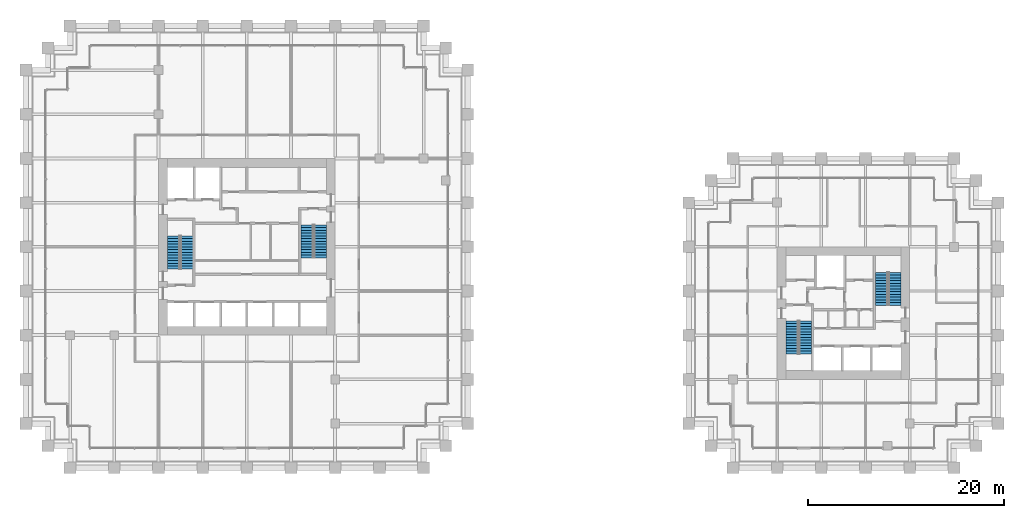
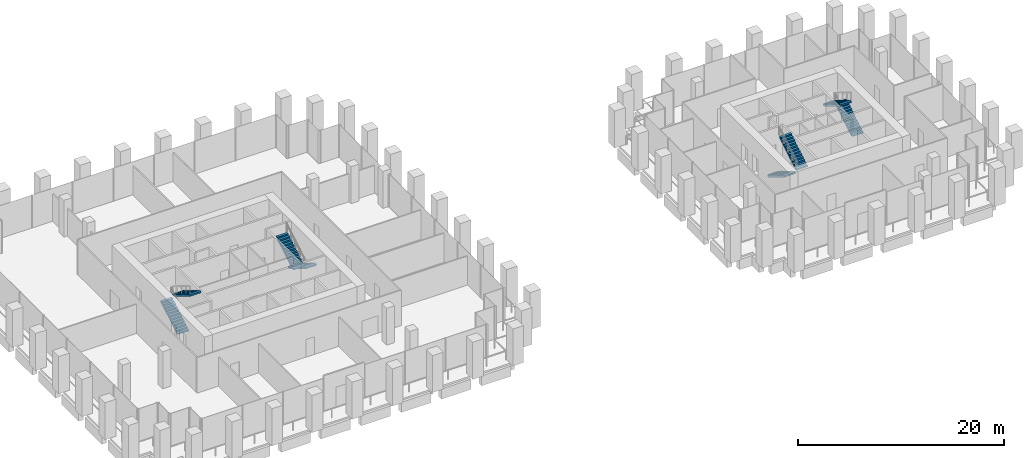
# One storey, part 34 of 36: 8 stair flights, 4 elements without a shape of their own.
"""IFC4 building model written with IfcOpenShell, lengths in metres."""

from ifc_helpers import new_model, si_unit, direction, frame, origin, place, context, subcontext, project, spatial, polyline, outline, extrude, material, type_object, element, aggregate, save


model = new_model("IFC4")

# Units and contexts
model_context = context("Model", 3, precision=1e-05, world=origin(), true_north=direction((0.0, 1.0)))
body_context = subcontext(model_context, "Body", "Model", "MODEL_VIEW")
ifc_project = project(units=[si_unit("LENGTHUNIT", "METRE"), si_unit("AREAUNIT", "SQUARE_METRE"), si_unit("VOLUMEUNIT", "CUBIC_METRE"), si_unit("PLANEANGLEUNIT", "RADIAN"), si_unit("MASSUNIT", "GRAM", prefix="KILO")], contexts=[model_context])

# Site, building, storey
site_placement = place(None, origin())
site = spatial("IfcSite", under=ifc_project, at=site_placement, CompositionType="ELEMENT")
building_placement = place(site_placement, origin())
building = spatial("IfcBuilding", under=site, at=building_placement, Name="Altepetl Exchange Towers", CompositionType="ELEMENT")
storey_placement = place(building_placement, frame((0.0, 0.0, 34.199951171875)))
storey = spatial("IfcBuildingStorey", under=building, at=storey_placement, Name="L07", CompositionType="ELEMENT", Elevation=34.199951171875)

# Stair, stair flights
ifc_material = material(Name="Concrete C40/50", Category="concrete")
stair_type = type_object("IfcStairType", Name="Exit stair 1250 flights dogleg", PredefinedType="HALF_TURN_STAIR", material=ifc_material)
stair_1_placement = place(storey_placement, origin())
stair_1 = element("IfcStair", 1, at=stair_1_placement, inside=storey, type_object=stair_type, Name="Exit stair 1", PredefinedType="HALF_TURN_STAIR")
stair_flight_type = type_object("IfcStairFlightType", Name="Stair flight 1250 wide", PredefinedType="STRAIGHT", material=ifc_material)
stair_flight_1_placement = place(storey_placement, frame((42.02490234375, 47.25, 0.0), z_axis=(0.0, 0.0, 1.0), x_axis=(0.0, 1.0, 0.0)))
stair_flight_1 = element("IfcStairFlight", 2, at=stair_flight_1_placement, type_object=stair_flight_type, Name="ST-A1b flight 1", NumberOfRisers=13, NumberOfTreads=12, PredefinedType="STRAIGHT", RiserHeight=0.169230769, TreadLength=0.28, context=body_context, shape_type="SweptSolid", body=[
    extrude(outline(polyline([(0.0, 0.0), (0.0, 0.169189453125), (0.280029296875, 0.169189453125), (0.280029296875, 0.33837890625), (0.56005859375, 0.33837890625), (0.56005859375, 0.5078125), (0.840087890625, 0.5078125), (0.840087890625, 0.677001953125), (1.1201171875, 0.677001953125), (1.1201171875, 0.84619140625), (1.39990234375, 0.84619140625), (1.39990234375, 1.015380859375), (1.679931640625, 1.015380859375), (1.679931640625, 1.1845703125), (1.9599609375, 1.1845703125), (1.9599609375, 1.353759765625), (2.239990234375, 1.353759765625), (2.239990234375, 1.523193359375), (2.52001953125, 1.523193359375), (2.52001953125, 1.6923828125), (2.800048828125, 1.6923828125), (2.800048828125, 1.861572265625), (3.080078125, 1.861572265625), (3.080078125, 2.03076171875), (3.360107421875, 2.03076171875), (3.360107421875, 2.199951171875), (3.360107421875, 1.855712890625), (0.289794921875, 0.0), (0.0, 0.0)])), frame((0.0, 0.625, 0.0), z_axis=(0.0, -1.0, 0.0), x_axis=(1.0, 0.0, 0.0)), (0.0, 0.0, 1.0), 1.25),
])
stair_flight_2_placement = place(storey_placement, frame((43.375, 50.610107421875, 2.199951171875), z_axis=(0.0, 0.0, 1.0), x_axis=(0.0, -1.0, 0.0)))
stair_flight_2 = element("IfcStairFlight", 3, at=stair_flight_2_placement, type_object=stair_flight_type, Name="ST-A1b flight 2", NumberOfRisers=13, NumberOfTreads=12, PredefinedType="STRAIGHT", RiserHeight=0.169230769, TreadLength=0.28, context=body_context, shape_type="SweptSolid", body=[
    extrude(outline(polyline([(0.0, 0.0), (0.0, 0.169189453125), (0.280029296875, 0.169189453125), (0.280029296875, 0.33837890625), (0.56005859375, 0.33837890625), (0.56005859375, 0.5078125), (0.840087890625, 0.5078125), (0.840087890625, 0.677001953125), (1.1201171875, 0.677001953125), (1.1201171875, 0.84619140625), (1.39990234375, 0.84619140625), (1.39990234375, 1.015380859375), (1.679931640625, 1.015380859375), (1.679931640625, 1.1845703125), (1.9599609375, 1.1845703125), (1.9599609375, 1.353759765625), (2.239990234375, 1.353759765625), (2.239990234375, 1.523193359375), (2.52001953125, 1.523193359375), (2.52001953125, 1.6923828125), (2.800048828125, 1.6923828125), (2.800048828125, 1.861572265625), (3.080078125, 1.861572265625), (3.080078125, 2.03076171875), (3.360107421875, 2.03076171875), (3.360107421875, 2.199951171875), (3.360107421875, 1.855712890625), (0.289794921875, 0.0), (0.0, 0.0)])), frame((0.0, 0.625, 0.0), z_axis=(0.0, -1.0, 0.0), x_axis=(1.0, 0.0, 0.0)), (0.0, 0.0, 1.0), 1.25),
])
aggregate(stair_1, [stair_flight_1, stair_flight_2])

stair_2_placement = place(storey_placement, origin())
stair_2 = element("IfcStair", 4, at=stair_2_placement, inside=storey, type_object=stair_type, Name="Exit stair 2", PredefinedType="HALF_TURN_STAIR")
stair_flight_3_placement = place(storey_placement, frame((56.97509765625, 51.75, 0.0), z_axis=(0.0, 0.0, 1.0), x_axis=(0.0, -1.0, 0.0)))
stair_flight_3 = element("IfcStairFlight", 5, at=stair_flight_3_placement, type_object=stair_flight_type, Name="ST-A2b flight 1", NumberOfRisers=13, NumberOfTreads=12, PredefinedType="STRAIGHT", RiserHeight=0.169230769, TreadLength=0.28, context=body_context, shape_type="SweptSolid", body=[
    extrude(outline(polyline([(0.0, 0.0), (0.0, 0.169189453125), (0.280029296875, 0.169189453125), (0.280029296875, 0.33837890625), (0.56005859375, 0.33837890625), (0.56005859375, 0.5078125), (0.840087890625, 0.5078125), (0.840087890625, 0.677001953125), (1.1201171875, 0.677001953125), (1.1201171875, 0.84619140625), (1.39990234375, 0.84619140625), (1.39990234375, 1.015380859375), (1.679931640625, 1.015380859375), (1.679931640625, 1.1845703125), (1.9599609375, 1.1845703125), (1.9599609375, 1.353759765625), (2.239990234375, 1.353759765625), (2.239990234375, 1.523193359375), (2.52001953125, 1.523193359375), (2.52001953125, 1.6923828125), (2.800048828125, 1.6923828125), (2.800048828125, 1.861572265625), (3.080078125, 1.861572265625), (3.080078125, 2.03076171875), (3.360107421875, 2.03076171875), (3.360107421875, 2.199951171875), (3.360107421875, 1.855712890625), (0.289794921875, 0.0), (0.0, 0.0)])), frame((0.0, 0.625, 0.0), z_axis=(0.0, -1.0, 0.0), x_axis=(1.0, 0.0, 0.0)), (0.0, 0.0, 1.0), 1.25),
])
stair_flight_4_placement = place(storey_placement, frame((55.625, 48.389892578125, 2.199951171875), z_axis=(0.0, 0.0, 1.0), x_axis=(0.0, 1.0, 0.0)))
stair_flight_4 = element("IfcStairFlight", 6, at=stair_flight_4_placement, type_object=stair_flight_type, Name="ST-A2b flight 2", NumberOfRisers=13, NumberOfTreads=12, PredefinedType="STRAIGHT", RiserHeight=0.169230769, TreadLength=0.28, context=body_context, shape_type="SweptSolid", body=[
    extrude(outline(polyline([(0.0, 0.0), (0.0, 0.169189453125), (0.280029296875, 0.169189453125), (0.280029296875, 0.33837890625), (0.56005859375, 0.33837890625), (0.56005859375, 0.5078125), (0.840087890625, 0.5078125), (0.840087890625, 0.677001953125), (1.1201171875, 0.677001953125), (1.1201171875, 0.84619140625), (1.39990234375, 0.84619140625), (1.39990234375, 1.015380859375), (1.679931640625, 1.015380859375), (1.679931640625, 1.1845703125), (1.9599609375, 1.1845703125), (1.9599609375, 1.353759765625), (2.239990234375, 1.353759765625), (2.239990234375, 1.523193359375), (2.52001953125, 1.523193359375), (2.52001953125, 1.6923828125), (2.800048828125, 1.6923828125), (2.800048828125, 1.861572265625), (3.080078125, 1.861572265625), (3.080078125, 2.03076171875), (3.360107421875, 2.03076171875), (3.360107421875, 2.199951171875), (3.360107421875, 1.855712890625), (0.289794921875, 0.0), (0.0, 0.0)])), frame((0.0, 0.625, 0.0), z_axis=(0.0, -1.0, 0.0), x_axis=(1.0, 0.0, 0.0)), (0.0, 0.0, 1.0), 1.25),
])
aggregate(stair_2, [stair_flight_3, stair_flight_4])

stair_3_placement = place(storey_placement, origin())
stair_3 = element("IfcStair", 7, at=stair_3_placement, inside=storey, type_object=stair_type, Name="Exit stair 1", PredefinedType="HALF_TURN_STAIR")
stair_flight_5_placement = place(storey_placement, frame((105.02490234375, 41.949951171875, 0.0), z_axis=(0.0, 0.0, 1.0), x_axis=(0.0, -1.0, 0.0)))
stair_flight_5 = element("IfcStairFlight", 8, at=stair_flight_5_placement, type_object=stair_flight_type, Name="ST-B1b flight 1", NumberOfRisers=13, NumberOfTreads=12, PredefinedType="STRAIGHT", RiserHeight=0.169230769, TreadLength=0.28, context=body_context, shape_type="SweptSolid", body=[
    extrude(outline(polyline([(0.0, 0.0), (0.0, 0.169189453125), (0.280029296875, 0.169189453125), (0.280029296875, 0.33837890625), (0.56005859375, 0.33837890625), (0.56005859375, 0.5078125), (0.840087890625, 0.5078125), (0.840087890625, 0.677001953125), (1.1201171875, 0.677001953125), (1.1201171875, 0.84619140625), (1.39990234375, 0.84619140625), (1.39990234375, 1.015380859375), (1.679931640625, 1.015380859375), (1.679931640625, 1.1845703125), (1.9599609375, 1.1845703125), (1.9599609375, 1.353759765625), (2.239990234375, 1.353759765625), (2.239990234375, 1.523193359375), (2.52001953125, 1.523193359375), (2.52001953125, 1.6923828125), (2.800048828125, 1.6923828125), (2.800048828125, 1.861572265625), (3.080078125, 1.861572265625), (3.080078125, 2.03076171875), (3.360107421875, 2.03076171875), (3.360107421875, 2.199951171875), (3.360107421875, 1.855712890625), (0.289794921875, 0.0), (0.0, 0.0)])), frame((0.0, 0.625, 0.0), z_axis=(0.0, -1.0, 0.0), x_axis=(1.0, 0.0, 0.0)), (0.0, 0.0, 1.0), 1.25),
])
stair_flight_6_placement = place(storey_placement, frame((106.375, 38.590087890625, 2.199951171875), z_axis=(0.0, 0.0, 1.0), x_axis=(0.0, 1.0, 0.0)))
stair_flight_6 = element("IfcStairFlight", 9, at=stair_flight_6_placement, type_object=stair_flight_type, Name="ST-B1b flight 2", NumberOfRisers=13, NumberOfTreads=12, PredefinedType="STRAIGHT", RiserHeight=0.169230769, TreadLength=0.28, context=body_context, shape_type="SweptSolid", body=[
    extrude(outline(polyline([(0.0, 0.0), (0.0, 0.169189453125), (0.280029296875, 0.169189453125), (0.280029296875, 0.33837890625), (0.56005859375, 0.33837890625), (0.56005859375, 0.5078125), (0.840087890625, 0.5078125), (0.840087890625, 0.677001953125), (1.1201171875, 0.677001953125), (1.1201171875, 0.84619140625), (1.39990234375, 0.84619140625), (1.39990234375, 1.015380859375), (1.679931640625, 1.015380859375), (1.679931640625, 1.1845703125), (1.9599609375, 1.1845703125), (1.9599609375, 1.353759765625), (2.239990234375, 1.353759765625), (2.239990234375, 1.523193359375), (2.52001953125, 1.523193359375), (2.52001953125, 1.6923828125), (2.800048828125, 1.6923828125), (2.800048828125, 1.861572265625), (3.080078125, 1.861572265625), (3.080078125, 2.03076171875), (3.360107421875, 2.03076171875), (3.360107421875, 2.199951171875), (3.360107421875, 1.855712890625), (0.289794921875, 0.0), (0.0, 0.0)])), frame((0.0, 0.625, 0.0), z_axis=(0.0, -1.0, 0.0), x_axis=(1.0, 0.0, 0.0)), (0.0, 0.0, 1.0), 1.25),
])
aggregate(stair_3, [stair_flight_5, stair_flight_6])

stair_4_placement = place(storey_placement, origin())
stair_4 = element("IfcStair", 10, at=stair_4_placement, inside=storey, type_object=stair_type, Name="Exit stair 2", PredefinedType="HALF_TURN_STAIR")
stair_flight_7_placement = place(storey_placement, frame((115.47509765625, 43.550048828125, 0.0), z_axis=(0.0, 0.0, 1.0), x_axis=(0.0, 1.0, 0.0)))
stair_flight_7 = element("IfcStairFlight", 11, at=stair_flight_7_placement, type_object=stair_flight_type, Name="ST-B2b flight 1", NumberOfRisers=13, NumberOfTreads=12, PredefinedType="STRAIGHT", RiserHeight=0.169230769, TreadLength=0.28, context=body_context, shape_type="SweptSolid", body=[
    extrude(outline(polyline([(0.0, 0.0), (0.0, 0.169189453125), (0.280029296875, 0.169189453125), (0.280029296875, 0.33837890625), (0.56005859375, 0.33837890625), (0.56005859375, 0.5078125), (0.840087890625, 0.5078125), (0.840087890625, 0.677001953125), (1.1201171875, 0.677001953125), (1.1201171875, 0.84619140625), (1.39990234375, 0.84619140625), (1.39990234375, 1.015380859375), (1.679931640625, 1.015380859375), (1.679931640625, 1.1845703125), (1.9599609375, 1.1845703125), (1.9599609375, 1.353759765625), (2.239990234375, 1.353759765625), (2.239990234375, 1.523193359375), (2.52001953125, 1.523193359375), (2.52001953125, 1.6923828125), (2.800048828125, 1.6923828125), (2.800048828125, 1.861572265625), (3.080078125, 1.861572265625), (3.080078125, 2.03076171875), (3.360107421875, 2.03076171875), (3.360107421875, 2.199951171875), (3.360107421875, 1.855712890625), (0.289794921875, 0.0), (0.0, 0.0)])), frame((0.0, 0.625, 0.0), z_axis=(0.0, -1.0, 0.0), x_axis=(1.0, 0.0, 0.0)), (0.0, 0.0, 1.0), 1.25),
])
stair_flight_8_placement = place(storey_placement, frame((114.125, 46.909912109375, 2.199951171875), z_axis=(0.0, 0.0, 1.0), x_axis=(0.0, -1.0, 0.0)))
stair_flight_8 = element("IfcStairFlight", 12, at=stair_flight_8_placement, type_object=stair_flight_type, Name="ST-B2b flight 2", NumberOfRisers=13, NumberOfTreads=12, PredefinedType="STRAIGHT", RiserHeight=0.169230769, TreadLength=0.28, context=body_context, shape_type="SweptSolid", body=[
    extrude(outline(polyline([(0.0, 0.0), (0.0, 0.169189453125), (0.280029296875, 0.169189453125), (0.280029296875, 0.33837890625), (0.56005859375, 0.33837890625), (0.56005859375, 0.5078125), (0.840087890625, 0.5078125), (0.840087890625, 0.677001953125), (1.1201171875, 0.677001953125), (1.1201171875, 0.84619140625), (1.39990234375, 0.84619140625), (1.39990234375, 1.015380859375), (1.679931640625, 1.015380859375), (1.679931640625, 1.1845703125), (1.9599609375, 1.1845703125), (1.9599609375, 1.353759765625), (2.239990234375, 1.353759765625), (2.239990234375, 1.523193359375), (2.52001953125, 1.523193359375), (2.52001953125, 1.6923828125), (2.800048828125, 1.6923828125), (2.800048828125, 1.861572265625), (3.080078125, 1.861572265625), (3.080078125, 2.03076171875), (3.360107421875, 2.03076171875), (3.360107421875, 2.199951171875), (3.360107421875, 1.855712890625), (0.289794921875, 0.0), (0.0, 0.0)])), frame((0.0, 0.625, 0.0), z_axis=(0.0, -1.0, 0.0), x_axis=(1.0, 0.0, 0.0)), (0.0, 0.0, 1.0), 1.25),
])
aggregate(stair_4, [stair_flight_7, stair_flight_8])

save(model, "model.ifc")
